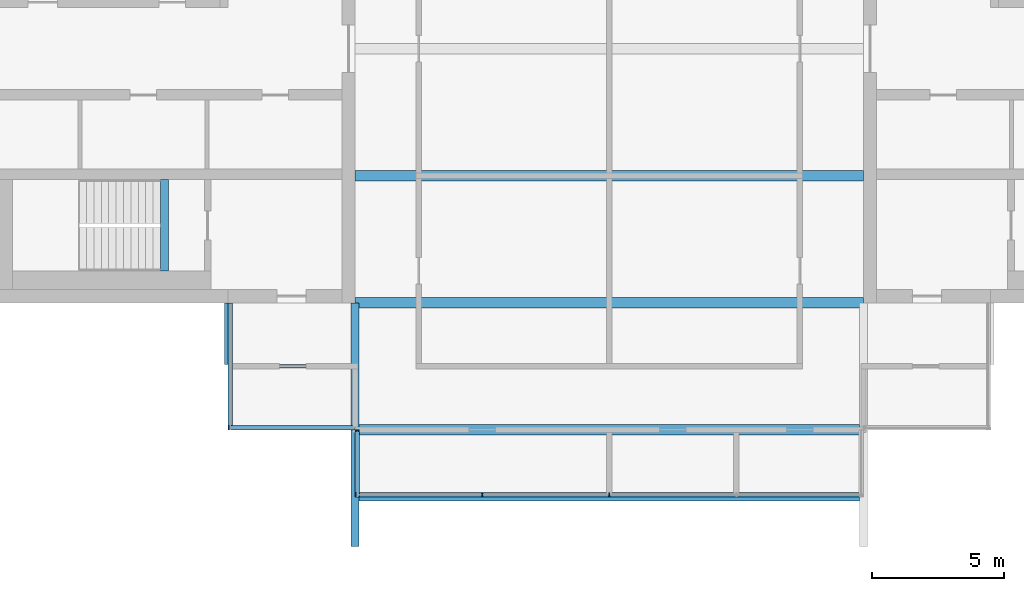
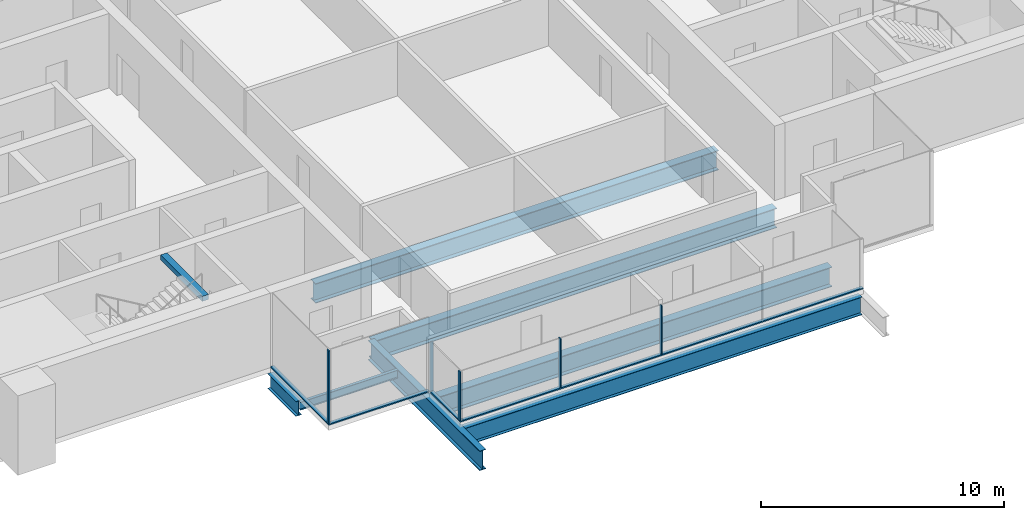
# One storey, part 2 of 12: 9 members, 8 beams, 4 elements without a shape of their own.
"""IFC4 building model written with IfcOpenShell, lengths in metres."""

from ifc_helpers import new_model, si_unit, direction, frame, origin, origin_2d, place, context, subcontext, project, spatial, rectangle, i_section, extrude, material, material_profile, profile_set, type_object, element, aggregate, save


model = new_model("IFC4")

# Units and contexts
model_context = context("Model", 3, precision=1e-05, world=origin(), true_north=direction((0.0, 1.0)))
body_context = subcontext(model_context, "Body", "Model", "MODEL_VIEW")
ifc_project = project(units=[si_unit("LENGTHUNIT", "METRE"), si_unit("AREAUNIT", "SQUARE_METRE"), si_unit("VOLUMEUNIT", "CUBIC_METRE"), si_unit("PLANEANGLEUNIT", "RADIAN"), si_unit("MASSUNIT", "GRAM", prefix="KILO")], contexts=[model_context])

# Site, building, storey
site_placement = place(None, origin())
site = spatial("IfcSite", under=ifc_project, at=site_placement, CompositionType="ELEMENT")
building_placement = place(site_placement, origin())
building = spatial("IfcBuilding", under=site, at=building_placement, Name="Baori Bourse Tower", CompositionType="ELEMENT")
storey_placement = place(building_placement, frame((0.0, 0.0, 362.300048828125)))
storey = spatial("IfcBuildingStorey", under=building, at=storey_placement, Name="L81", CompositionType="ELEMENT", Elevation=362.300048828125)

# Curtain wall, member
ifc_material_1 = material(Name="Pale anodised aluminium", Category="aluminium")
curtain_wall_type = type_object("IfcCurtainWallType", Name="CW3 Curtain wall", PredefinedType="NOTDEFINED", material=ifc_material_1)
curtain_wall_1_placement = place(storey_placement, origin())
curtain_wall_1 = element("IfcCurtainWall", 1, at=curtain_wall_1_placement, inside=storey, type_object=curtain_wall_type, Name="Curtain wall CW3 L81 11", PredefinedType="NOTDEFINED")
ifc_material_2 = material(Name="Pale anodised aluminium", Category="aluminium")
ifc_material_profile_1 = material_profile(ifc_material_2, rectangle(XDim=0.159912109375, YDim=0.050048828125, at=origin_2d()), Name="Mullion 50x160")
ifc_profile_set_1 = profile_set([ifc_material_profile_1], Name="Pale anodised aluminium")
member_type_1 = type_object("IfcMemberType", Name="CW3 Curtain wall mullion", PredefinedType="MULLION", material=ifc_profile_set_1)
member_1_placement = place(storey_placement, frame((14.425048828125, 4.8798828125, 0.06005859375), z_axis=(0.0, 0.0, 1.0), x_axis=(0.0, 1.0, 0.0)))
member_1 = element("IfcMember", 2, at=member_1_placement, type_object=member_type_1, Name="Curtain wall CW3 mullion", PredefinedType="MULLION", context=body_context, shape_type="SweptSolid", body=[
    extrude(rectangle(XDim=0.159912109375, YDim=0.050048828125, at=origin_2d()), origin(), (0.0, 0.0, 1.0), 3.68994140625),
])

curtain_wall_2_placement = place(storey_placement, origin())
curtain_wall_2 = element("IfcCurtainWall", 3, at=curtain_wall_2_placement, inside=storey, type_object=curtain_wall_type, Name="Curtain wall CW3 L81 12", PredefinedType="NOTDEFINED")
member_2_placement = place(storey_placement, frame((19.280029296875, 4.77490234375, 0.06005859375), z_axis=(0.0, 0.0, 1.0), x_axis=(1.0, 0.0, 0.0)))
member_2 = element("IfcMember", 4, at=member_2_placement, type_object=member_type_1, Name="Curtain wall CW3 mullion", PredefinedType="MULLION", context=body_context, shape_type="SweptSolid", body=[
    extrude(rectangle(XDim=0.159912109375, YDim=0.050048828125, at=origin_2d()), origin(), (0.0, 0.0, 1.0), 2.469970703125),
])

# Curtain wall, members
curtain_wall_3_placement = place(storey_placement, origin())
curtain_wall_3 = element("IfcCurtainWall", 5, at=curtain_wall_3_placement, inside=storey, type_object=curtain_wall_type, Name="Curtain wall CW3 L81 13", PredefinedType="NOTDEFINED")
member_3_placement = place(storey_placement, frame((19.22509765625, 2.3515625, 0.06005859375), z_axis=(0.0, 0.0, 1.0), x_axis=(0.0, 1.0, 0.0)))
member_3 = element("IfcMember", 6, at=member_3_placement, type_object=member_type_1, Name="Curtain wall CW3 mullion", PredefinedType="MULLION", context=body_context, shape_type="SweptSolid", body=[
    extrude(rectangle(XDim=0.159912109375, YDim=0.050048828125, at=origin_2d()), origin(), (0.0, 0.0, 1.0), 2.469970703125),
])
member_4_placement = place(storey_placement, frame((24.0, 2.3515625, 0.06005859375), z_axis=(0.0, 0.0, 1.0), x_axis=(0.0, 1.0, 0.0)))
member_4 = element("IfcMember", 7, at=member_4_placement, type_object=member_type_1, Name="Curtain wall CW3 mullion", PredefinedType="MULLION", context=body_context, shape_type="SweptSolid", body=[
    extrude(rectangle(XDim=0.159912109375, YDim=0.050048828125, at=origin_2d()), origin(), (0.0, 0.0, 1.0), 2.469970703125),
])
member_5_placement = place(storey_placement, frame((28.800048828125, 2.3515625, 0.06005859375), z_axis=(0.0, 0.0, 1.0), x_axis=(0.0, 1.0, 0.0)))
member_5 = element("IfcMember", 8, at=member_5_placement, type_object=member_type_1, Name="Curtain wall CW3 mullion", PredefinedType="MULLION", context=body_context, shape_type="SweptSolid", body=[
    extrude(rectangle(XDim=0.159912109375, YDim=0.050048828125, at=origin_2d()), origin(), (0.0, 0.0, 1.0), 2.469970703125),
])

# Curtain wall, member
curtain_wall_4_placement = place(storey_placement, origin())
curtain_wall_4 = element("IfcCurtainWall", 9, at=curtain_wall_4_placement, inside=storey, type_object=curtain_wall_type, Name="Curtain wall CW3 L81 10", PredefinedType="NOTDEFINED")
ifc_material_3 = material(Name="Pale anodised aluminium", Category="aluminium")
ifc_material_profile_2 = material_profile(ifc_material_3, rectangle(XDim=0.159912109375, YDim=0.06005859375, at=origin_2d()), Name="Transom 60x160")
ifc_profile_set_2 = profile_set([ifc_material_profile_2], Name="Pale anodised aluminium")
member_type_2 = type_object("IfcMemberType", Name="CW3 Curtain wall transom", PredefinedType="USERDEFINED", material=ifc_profile_set_2)
member_6_placement = place(storey_placement, frame((14.47998046875, 9.60009765625, 0.030029296875), z_axis=(0.0, -1.0, 0.0), x_axis=(1.0, 0.0, 0.0)))
member_6 = element("IfcMember", 10, at=member_6_placement, type_object=member_type_2, Name="Curtain wall CW3 sill rail", ObjectType="TRANSOM", PredefinedType="USERDEFINED", context=body_context, shape_type="SweptSolid", body=[
    extrude(rectangle(XDim=0.159912109375, YDim=0.06005859375, at=origin_2d()), origin(), (0.0, 0.0, 1.0), 4.800048828125),
])
aggregate(curtain_wall_4, [member_6])

# Member
member_7_placement = place(storey_placement, frame((14.39990234375, 4.8798828125, 0.030029296875), z_axis=(1.0, 0.0, 0.0), x_axis=(0.0, 1.0, 0.0)))
member_7 = element("IfcMember", 11, at=member_7_placement, type_object=member_type_2, Name="Curtain wall CW3 sill rail", ObjectType="TRANSOM", PredefinedType="USERDEFINED", context=body_context, shape_type="SweptSolid", body=[
    extrude(rectangle(XDim=0.159912109375, YDim=0.06005859375, at=origin_2d()), origin(), (0.0, 0.0, 1.0), 4.800048828125),
])

aggregate(curtain_wall_1, [member_7, member_1])

member_8_placement = place(storey_placement, frame((19.280029296875, 4.800048828125, 0.030029296875), z_axis=(0.0, -1.0, 0.0), x_axis=(1.0, 0.0, 0.0)))
member_8 = element("IfcMember", 12, at=member_8_placement, type_object=member_type_2, Name="Curtain wall CW3 sill rail", ObjectType="TRANSOM", PredefinedType="USERDEFINED", context=body_context, shape_type="SweptSolid", body=[
    extrude(rectangle(XDim=0.159912109375, YDim=0.06005859375, at=origin_2d()), origin(), (0.0, 0.0, 1.0), 2.528564453125),
])

aggregate(curtain_wall_2, [member_8, member_2])

member_9_placement = place(storey_placement, frame((19.199951171875, 2.3515625, 0.030029296875), z_axis=(1.0, 0.0, 0.0), x_axis=(0.0, 1.0, 0.0)))
member_9 = element("IfcMember", 13, at=member_9_placement, type_object=member_type_2, Name="Curtain wall CW3 sill rail", ObjectType="TRANSOM", PredefinedType="USERDEFINED", context=body_context, shape_type="SweptSolid", body=[
    extrude(rectangle(XDim=0.159912109375, YDim=0.06005859375, at=origin_2d()), origin(), (0.0, 0.0, 1.0), 19.199951171875),
])

aggregate(curtain_wall_3, [member_9, member_3, member_4, member_5])

# Beams
ifc_material_4 = material(Name="Steel A992 Gr 50", Category="steel")
ifc_material_profile_3 = material_profile(ifc_material_4, i_section(OverallWidth=0.26416015625, OverallDepth=0.749267578125, WebThickness=0.011962890625, FlangeThickness=0.015380859375, at=origin_2d()), Name="W30x90")
ifc_profile_set_3 = profile_set([ifc_material_profile_3], Name="Steel A992 Gr 50")
beam_type_1 = type_object("IfcBeamType", Name="Core bracket W30x90", PredefinedType="BEAM", material=ifc_profile_set_3)
beam_1_placement = place(storey_placement, frame((14.39990234375, 7.270263671875, -0.624755859375), z_axis=(0.0, 1.0, 0.0), x_axis=(-1.0, 0.0, 0.0)))
element("IfcBeam", 14, at=beam_1_placement, inside=storey, type_object=beam_type_1, Name="Core bracket L81", PredefinedType="BEAM", context=body_context, shape_type="SweptSolid", body=[
    extrude(i_section(OverallWidth=0.26416015625, OverallDepth=0.749267578125, WebThickness=0.011962890625, FlangeThickness=0.015380859375, at=origin_2d()), origin(), (0.0, 0.0, 1.0), 2.329833984375),
])
ifc_material_5 = material(Name="Steel A992 Gr 50", Category="steel")
ifc_material_profile_4 = material_profile(ifc_material_5, i_section(OverallWidth=0.3046875, OverallDepth=0.904296875, WebThickness=0.01513671875, FlangeThickness=0.02001953125, at=origin_2d()), Name="W36x135")
ifc_profile_set_4 = profile_set([ifc_material_profile_4], Name="Steel A992 Gr 50")
beam_type_2 = type_object("IfcBeamType", Name="Edge beam W36x135", PredefinedType="BEAM", material=ifc_profile_set_4)
beam_2_placement = place(storey_placement, frame((19.349853515625, 2.271484375, -0.7021484375), z_axis=(1.0, 0.0, 0.0), x_axis=(0.0, 1.0, 0.0)))
element("IfcBeam", 15, at=beam_2_placement, inside=storey, type_object=beam_type_2, Name="Edge beam L81", PredefinedType="BEAM", context=body_context, shape_type="SweptSolid", body=[
    extrude(i_section(OverallWidth=0.3046875, OverallDepth=0.904296875, WebThickness=0.01513671875, FlangeThickness=0.02001953125, at=origin_2d()), origin(), (0.0, 0.0, 1.0), 18.900390625),
])
ifc_material_6 = material(Name="Steel A992 Gr 50", Category="steel")
ifc_material_profile_5 = material_profile(ifc_material_6, i_section(OverallWidth=0.4013671875, OverallDepth=0.990478515625, WebThickness=0.0166015625, FlangeThickness=0.031005859375, at=origin_2d()), Name="W40x215")
ifc_profile_set_5 = profile_set([ifc_material_profile_5], Name="Steel A992 Gr 50")
beam_type_3 = type_object("IfcBeamType", Name="Floor beam W40x215", PredefinedType="BEAM", material=ifc_profile_set_5)
beam_3_placement = place(storey_placement, frame((19.349853515625, 4.800048828125, -0.745361328125), z_axis=(1.0, 0.0, 0.0), x_axis=(0.0, 1.0, 0.0)))
element("IfcBeam", 16, at=beam_3_placement, inside=storey, type_object=beam_type_3, Name="Floor beam L81", PredefinedType="BEAM", context=body_context, shape_type="SweptSolid", body=[
    extrude(i_section(OverallWidth=0.4013671875, OverallDepth=0.990478515625, WebThickness=0.0166015625, FlangeThickness=0.031005859375, at=origin_2d()), origin(), (0.0, 0.0, 1.0), 18.900390625),
])
for number, where, z_axis, x_axis, name in (
    (17, (19.199951171875, 9.60009765625, -0.745361328125), (1.0, 0.0, 0.0), (0.0, 1.0, 0.0), "Floor beam L81"),
    (18, (19.199951171875, 14.39990234375, -0.745361328125), (1.0, 0.0, 0.0), (0.0, 1.0, 0.0), "Floor beam L81"),
):
    element("IfcBeam", number, at=place(storey_placement, frame(where, z_axis=z_axis, x_axis=x_axis)), inside=storey, type_object=beam_type_3, Name=name, PredefinedType="BEAM", context=body_context, shape_type="SweptSolid", body=[
        extrude(i_section(OverallWidth=0.4013671875, OverallDepth=0.990478515625, WebThickness=0.0166015625, FlangeThickness=0.031005859375, at=origin_2d()), origin(), (0.0, 0.0, 1.0), 19.199951171875),
    ])
ifc_material_7 = material(Name="Steel A992 Gr 50", Category="steel")
ifc_material_profile_6 = material_profile(ifc_material_7, i_section(OverallWidth=0.2998046875, OverallDepth=0.990478515625, WebThickness=0.0166015625, FlangeThickness=0.030517578125, at=origin_2d()), Name="W40x183")
ifc_profile_set_6 = profile_set([ifc_material_profile_6], Name="Steel A992 Gr 50")
beam_type_4 = type_object("IfcBeamType", Name="Girder W40x183", PredefinedType="BEAM", material=ifc_profile_set_6)
beam_4_placement = place(storey_placement, frame((19.199951171875, 0.39990234375, -0.745361328125), z_axis=(0.0, 1.0, 0.0), x_axis=(-1.0, 0.0, 0.0)))
element("IfcBeam", 19, at=beam_4_placement, inside=storey, type_object=beam_type_4, Name="Girder L81", PredefinedType="BEAM", context=body_context, shape_type="SweptSolid", body=[
    extrude(i_section(OverallWidth=0.2998046875, OverallDepth=0.990478515625, WebThickness=0.0166015625, FlangeThickness=0.030517578125, at=origin_2d()), origin(), (0.0, 0.0, 1.0), 9.2001953125),
])
ifc_material_8 = material(Name="Concrete f'c 50 MPa", Category="concrete")
ifc_material_profile_7 = material_profile(ifc_material_8, rectangle(XDim=0.300048828125, YDim=0.25, at=origin_2d()), Name="RC 300x250")
ifc_profile_set_7 = profile_set([ifc_material_profile_7], Name="Concrete f'c 50 MPa")
beam_type_5 = type_object("IfcBeamType", Name="Stair nib beam RC 300x250", PredefinedType="BEAM", material=ifc_profile_set_7)
beam_5_placement = place(storey_placement, frame((12.0, 10.800048828125, 3.625), z_axis=(0.0, 1.0, 0.0), x_axis=(-1.0, 0.0, 0.0)))
element("IfcBeam", 20, at=beam_5_placement, inside=storey, type_object=beam_type_5, Name="Stair WA nib beam L82", PredefinedType="BEAM", context=body_context, shape_type="SweptSolid", body=[
    extrude(rectangle(XDim=0.300048828125, YDim=0.25, at=origin_2d()), origin(), (0.0, 0.0, 1.0), 3.449951171875),
])
ifc_material_9 = material(Name="Steel A992 Gr 50", Category="steel")
ifc_material_profile_8 = material_profile(ifc_material_9, i_section(OverallWidth=0.140380859375, OverallDepth=0.40380859375, WebThickness=0.007080078125, FlangeThickness=0.01123046875, at=origin_2d()), Name="W16x31")
ifc_profile_set_8 = profile_set([ifc_material_profile_8], Name="Steel A992 Gr 50")
beam_type_6 = type_object("IfcBeamType", Name="Trimmer beam W16x31", PredefinedType="BEAM", material=ifc_profile_set_8)
beam_6_placement = place(storey_placement, frame((14.39990234375, 7.199951171875, -0.451904296875), z_axis=(1.0, 0.0, 0.0), x_axis=(0.0, 1.0, 0.0)))
element("IfcBeam", 21, at=beam_6_placement, inside=storey, type_object=beam_type_6, Name="Trimmer beam L81", PredefinedType="BEAM", context=body_context, shape_type="SweptSolid", body=[
    extrude(i_section(OverallWidth=0.140380859375, OverallDepth=0.40380859375, WebThickness=0.007080078125, FlangeThickness=0.01123046875, at=origin_2d()), origin(), (0.0, 0.0, 1.0), 4.650146484375),
])

save(model, "model.ifc")
